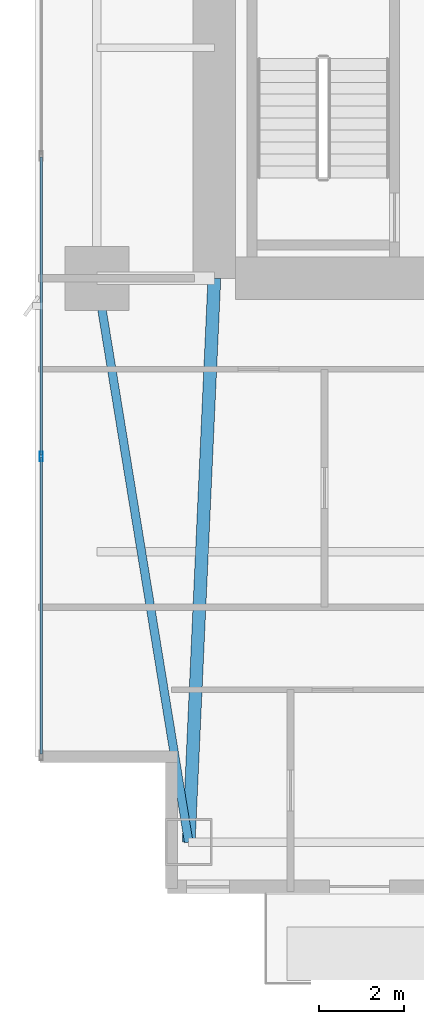
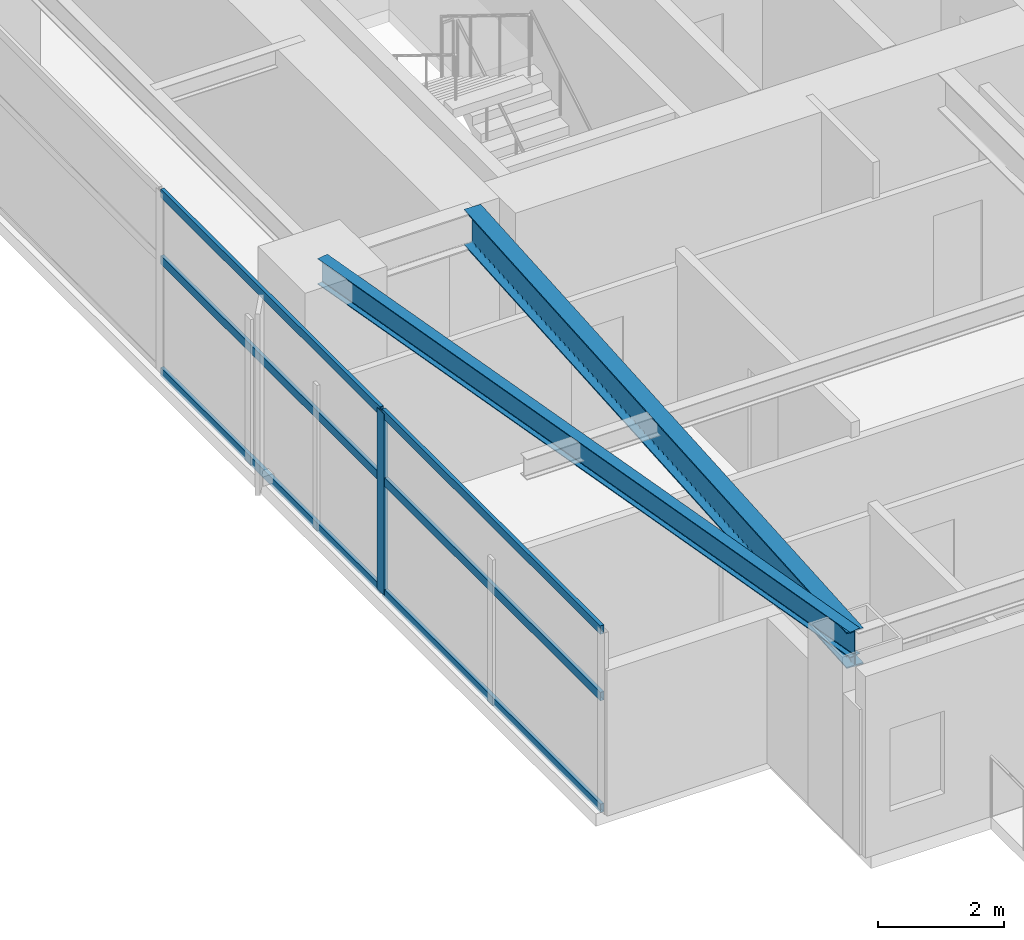
# One storey, part 3 of 28: 7 members, 2 beams, 1 element without a shape of its own.
"""IFC4 building model written with IfcOpenShell, lengths in metres."""

from ifc_helpers import new_model, si_unit, direction, frame, origin, origin_2d, place, context, subcontext, project, spatial, hollow_rectangle, i_section, extrude, material, layer, layer_set, material_profile, profile_set, type_object, element, aggregate, save


model = new_model("IFC4")

# Units and contexts
model_context = context("Model", 3, precision=1e-05, world=origin(), true_north=direction((0.0, 1.0)))
body_context = subcontext(model_context, "Body", "Model", "MODEL_VIEW")
ifc_project = project(units=[si_unit("LENGTHUNIT", "METRE"), si_unit("AREAUNIT", "SQUARE_METRE"), si_unit("VOLUMEUNIT", "CUBIC_METRE"), si_unit("PLANEANGLEUNIT", "RADIAN"), si_unit("MASSUNIT", "GRAM", prefix="KILO")], contexts=[model_context])

# Site, building, storey
site_placement = place(None, origin())
site = spatial("IfcSite", under=ifc_project, at=site_placement, CompositionType="ELEMENT")
building_placement = place(site_placement, origin())
building = spatial("IfcBuilding", under=site, at=building_placement, Name="Calvorn Quay Hotel", CompositionType="ELEMENT")
storey_placement = place(building_placement, frame((0.0, 0.0, 88.800048828125)))
storey = spatial("IfcBuildingStorey", under=building, at=storey_placement, Name="L21", CompositionType="ELEMENT", Elevation=88.800048828125)

# Beams
ifc_material_1 = material(Name="Steel Q390GJC", Category="steel")
ifc_material_profile_1 = material_profile(ifc_material_1, i_section(OverallWidth=0.300048828125, OverallDepth=0.699951171875, WebThickness=0.012939453125, FlangeThickness=0.02392578125, FilletRadius=0.02392578125, at=origin_2d()), Name="HN700x300x13x24")
ifc_profile_set_1 = profile_set([ifc_material_profile_1], Name="Steel Q390GJC")
beam_type_1 = type_object("IfcBeamType", Name="BM-GIRD-MAIN", PredefinedType="BEAM", material=ifc_profile_set_1)
beam_1_placement = place(storey_placement, frame((3.60009765625, 3.60009765625, 3.169921875), z_axis=(0.045396765494, 0.998969035397, 0.0), x_axis=(-0.998969035397, 0.045396765494, 0.0)))
element("IfcBeam", 1, at=beam_1_placement, inside=storey, type_object=beam_type_1, Name="Beam BG-L21-W0", PredefinedType="BEAM", context=body_context, shape_type="SweptSolid", body=[
    extrude(i_section(OverallWidth=0.300048828125, OverallDepth=0.699951171875, WebThickness=0.012939453125, FlangeThickness=0.02392578125, FilletRadius=0.02392578125, at=origin_2d()), origin(), (0.0, 0.0, 1.0), 13.213623046875),
])
ifc_material_2 = material(Name="Steel Q355B", Category="steel")
ifc_material_profile_2 = material_profile(ifc_material_2, i_section(OverallWidth=0.199951171875, OverallDepth=0.5, WebThickness=0.010009765625, FlangeThickness=0.01611328125, FilletRadius=0.01611328125, at=origin_2d()), Name="HN500x200x10x16")
ifc_profile_set_2 = profile_set([ifc_material_profile_2], Name="Steel Q355B")
beam_type_2 = type_object("IfcBeamType", Name="BM-SPANDREL-Z1", PredefinedType="SPANDREL", material=ifc_profile_set_2)
beam_2_placement = place(storey_placement, frame((3.60009765625, 3.60009765625, 3.27001953125), z_axis=(-0.16077155054, 0.986991645627, 0.0), x_axis=(-0.986991645627, -0.16077155054, 0.0)))
element("IfcBeam", 2, at=beam_2_placement, inside=storey, type_object=beam_type_2, Name="Beam BSP-L21-W1", PredefinedType="SPANDREL", context=body_context, shape_type="SweptSolid", body=[
    extrude(i_section(OverallWidth=0.199951171875, OverallDepth=0.5, WebThickness=0.010009765625, FlangeThickness=0.01611328125, FilletRadius=0.01611328125, at=origin_2d()), origin(), (0.0, 0.0, 1.0), 13.3740234375),
])

# Curtain wall, members
ifc_material_3 = material(Name="Pale Anodised Aluminium and Low-E Glass", Category="aluminium")
ifc_layer = layer(ifc_material_3, 0.219970703125)
ifc_layer_set = layer_set([ifc_layer], Name="CW-SYS-Z1")
curtain_wall_type = type_object("IfcCurtainWallType", Name="CW-SYS-Z1", PredefinedType="NOTDEFINED", material=ifc_layer_set)
curtain_wall_placement = place(storey_placement, origin())
curtain_wall = element("IfcCurtainWall", 3, at=curtain_wall_placement, inside=storey, type_object=curtain_wall_type, Name="Tower West Curtain Wall (L21)", PredefinedType="NOTDEFINED")
ifc_material_4 = material(Name="Pale Anodised Aluminium 6063-T6", Category="aluminium")
ifc_material_profile_3 = material_profile(ifc_material_4, hollow_rectangle(XDim=0.074951171875, YDim=0.219970703125, WallThickness=0.00439453125, at=origin_2d()), Name="ALU-M220x75x4.5")
ifc_profile_set_3 = profile_set([ifc_material_profile_3], Name="Pale Anodised Aluminium 6063-T6")
member_type_1 = type_object("IfcMemberType", Name="CW-SYS-Z1-MUL", PredefinedType="MULLION", material=ifc_profile_set_3)
member_1_placement = place(storey_placement, frame((0.14990234375, 12.63330078125, 0.0), z_axis=(0.0, 0.0, 1.0), x_axis=(-1.0, 0.0, 0.0)))
member_1 = element("IfcMember", 4, at=member_1_placement, type_object=member_type_1, Name="CW-L21-W mullion 2", PredefinedType="MULLION", context=body_context, shape_type="SweptSolid", body=[
    extrude(hollow_rectangle(XDim=0.074951171875, YDim=0.219970703125, WallThickness=0.00439453125, at=origin_2d()), origin(), (0.0, 0.0, 1.0), 3.52001953125),
])
ifc_material_5 = material(Name="Pale Anodised Aluminium 6063-T6", Category="aluminium")
ifc_material_profile_4 = material_profile(ifc_material_5, hollow_rectangle(XDim=0.06494140625, YDim=0.1650390625, WallThickness=0.00341796875, at=origin_2d()), Name="ALU-T165x65x3.5")
ifc_profile_set_4 = profile_set([ifc_material_profile_4], Name="Pale Anodised Aluminium 6063-T6")
member_type_2 = type_object("IfcMemberType", Name="CW-SYS-Z1-TRN", PredefinedType="USERDEFINED", material=ifc_profile_set_4)
member_2_placement = place(storey_placement, frame((0.14990234375, 5.659912109375, 0.030029296875), z_axis=(0.0, 1.0, 0.0), x_axis=(-1.0, 0.0, 0.0)))
member_2 = element("IfcMember", 5, at=member_2_placement, type_object=member_type_2, Name="CW-L21-W transom 1.1", ObjectType="TRANSOM", PredefinedType="USERDEFINED", context=body_context, shape_type="SweptSolid", body=[
    extrude(hollow_rectangle(XDim=0.06494140625, YDim=0.1650390625, WallThickness=0.00341796875, at=origin_2d()), origin(), (0.0, 0.0, 1.0), 6.943359375),
])
member_3_placement = place(storey_placement, frame((0.14990234375, 5.659912109375, 2.199951171875), z_axis=(0.0, 1.0, 0.0), x_axis=(-1.0, 0.0, 0.0)))
member_3 = element("IfcMember", 6, at=member_3_placement, type_object=member_type_2, Name="CW-L21-W transom 1.2", ObjectType="TRANSOM", PredefinedType="USERDEFINED", context=body_context, shape_type="SweptSolid", body=[
    extrude(hollow_rectangle(XDim=0.06494140625, YDim=0.1650390625, WallThickness=0.00341796875, at=origin_2d()), origin(), (0.0, 0.0, 1.0), 6.943359375),
])
member_4_placement = place(storey_placement, frame((0.14990234375, 5.659912109375, 3.489990234375), z_axis=(0.0, 1.0, 0.0), x_axis=(-1.0, 0.0, 0.0)))
member_4 = element("IfcMember", 7, at=member_4_placement, type_object=member_type_2, Name="CW-L21-W transom 1.3", ObjectType="TRANSOM", PredefinedType="USERDEFINED", context=body_context, shape_type="SweptSolid", body=[
    extrude(hollow_rectangle(XDim=0.06494140625, YDim=0.1650390625, WallThickness=0.00341796875, at=origin_2d()), origin(), (0.0, 0.0, 1.0), 6.943359375),
])
member_5_placement = place(storey_placement, frame((0.14990234375, 12.663330078125, 0.030029296875), z_axis=(0.0, 1.0, 0.0), x_axis=(-1.0, 0.0, 0.0)))
member_5 = element("IfcMember", 8, at=member_5_placement, type_object=member_type_2, Name="CW-L21-W transom 2.1", ObjectType="TRANSOM", PredefinedType="USERDEFINED", context=body_context, shape_type="SweptSolid", body=[
    extrude(hollow_rectangle(XDim=0.06494140625, YDim=0.1650390625, WallThickness=0.00341796875, at=origin_2d()), origin(), (0.0, 0.0, 1.0), 6.973388671875),
])
member_6_placement = place(storey_placement, frame((0.14990234375, 12.663330078125, 2.199951171875), z_axis=(0.0, 1.0, 0.0), x_axis=(-1.0, 0.0, 0.0)))
member_6 = element("IfcMember", 9, at=member_6_placement, type_object=member_type_2, Name="CW-L21-W transom 2.2", ObjectType="TRANSOM", PredefinedType="USERDEFINED", context=body_context, shape_type="SweptSolid", body=[
    extrude(hollow_rectangle(XDim=0.06494140625, YDim=0.1650390625, WallThickness=0.00341796875, at=origin_2d()), origin(), (0.0, 0.0, 1.0), 6.973388671875),
])
member_7_placement = place(storey_placement, frame((0.14990234375, 12.663330078125, 3.489990234375), z_axis=(0.0, 1.0, 0.0), x_axis=(-1.0, 0.0, 0.0)))
member_7 = element("IfcMember", 10, at=member_7_placement, type_object=member_type_2, Name="CW-L21-W transom 2.3", ObjectType="TRANSOM", PredefinedType="USERDEFINED", context=body_context, shape_type="SweptSolid", body=[
    extrude(hollow_rectangle(XDim=0.06494140625, YDim=0.1650390625, WallThickness=0.00341796875, at=origin_2d()), origin(), (0.0, 0.0, 1.0), 6.973388671875),
])
aggregate(curtain_wall, [member_1, member_2, member_3, member_4, member_5, member_6, member_7])

save(model, "model.ifc")
